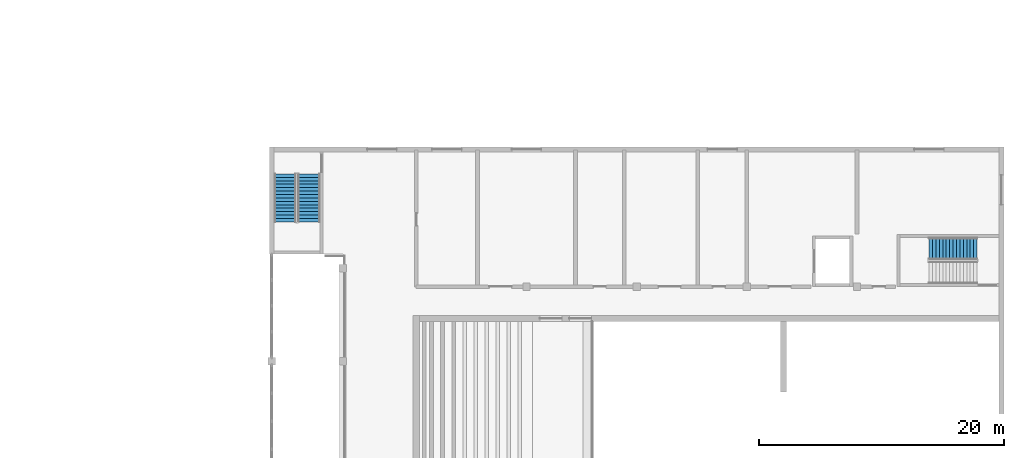
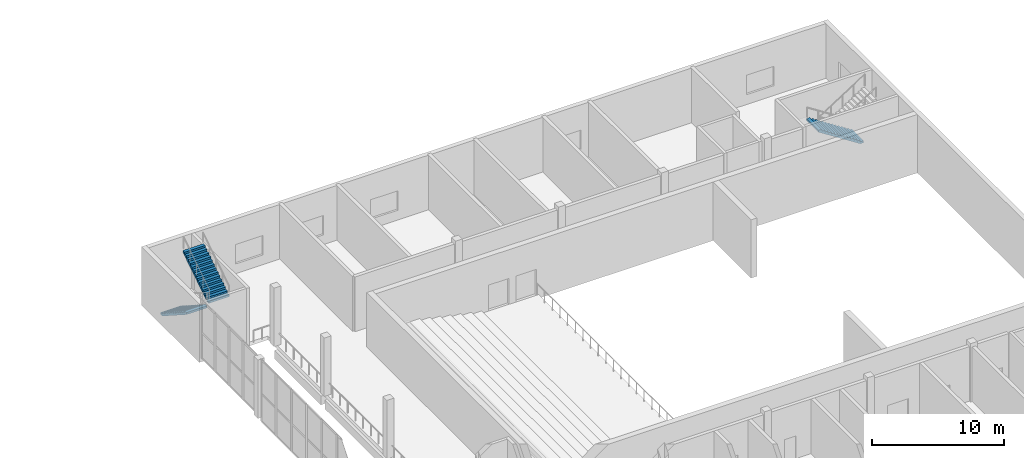
# One storey, part 30 of 44: 3 stair flights, 2 elements without a shape of their own.
"""IFC4 building model written with IfcOpenShell, lengths in metres."""

from ifc_helpers import new_model, si_unit, direction, frame, origin, place, context, subcontext, project, spatial, polyline, outline, extrude, material, type_object, element, aggregate, save


model = new_model("IFC4")

# Units and contexts
model_context = context("Model", 3, precision=1e-05, world=origin(), true_north=direction((0.0, 1.0)))
body_context = subcontext(model_context, "Body", "Model", "MODEL_VIEW")
ifc_project = project(units=[si_unit("LENGTHUNIT", "METRE"), si_unit("AREAUNIT", "SQUARE_METRE"), si_unit("VOLUMEUNIT", "CUBIC_METRE"), si_unit("PLANEANGLEUNIT", "RADIAN"), si_unit("MASSUNIT", "GRAM", prefix="KILO")], contexts=[model_context])

# Site, building, storey
site_placement = place(None, origin())
site = spatial("IfcSite", under=ifc_project, at=site_placement, CompositionType="ELEMENT")
building_placement = place(site_placement, origin())
building = spatial("IfcBuilding", under=site, at=building_placement, Name="Hunhe Ridgeline Campus", CompositionType="ELEMENT")
storey_placement = place(building_placement, frame((0.0, 0.0, 6.0)))
storey = spatial("IfcBuildingStorey", under=building, at=storey_placement, Name="L01", CompositionType="ELEMENT", Elevation=6.0)

# Stair, stair flights
ifc_material = material(Name="Concrete C40", Category="concrete")
stair_type = type_object("IfcStairType", Name="Hall exit stair 1800", PredefinedType="HALF_TURN_STAIR", material=ifc_material)
stair_1_placement = place(storey_placement, origin())
stair_1 = element("IfcStair", 1, at=stair_1_placement, inside=storey, type_object=stair_type, Name="L01 hall stair HS2", PredefinedType="HALF_TURN_STAIR")
stair_flight_type = type_object("IfcStairFlightType", Name="Hall stair flight 1800", PredefinedType="STRAIGHT", material=ifc_material)
stair_flight_1_placement = place(storey_placement, frame((151.300048828125, 74.300048828125, 0.0), z_axis=(0.0, 0.0, 1.0), x_axis=(0.0, -1.0, 0.0)))
stair_flight_1 = element("IfcStairFlight", 2, at=stair_flight_1_placement, type_object=stair_flight_type, Name="HS2 flight 1", NumberOfRisers=15, NumberOfTreads=14, PredefinedType="STRAIGHT", RiserHeight=0.18, TreadLength=0.28, context=body_context, shape_type="SweptSolid", body=[
    extrude(outline(polyline([(0.0, 0.0), (0.0, 0.179931640625), (0.280029296875, 0.179931640625), (0.280029296875, 0.360107421875), (0.56005859375, 0.360107421875), (0.56005859375, 0.5400390625), (0.840087890625, 0.5400390625), (0.840087890625, 0.719970703125), (1.1201171875, 0.719970703125), (1.1201171875, 0.89990234375), (1.39990234375, 0.89990234375), (1.39990234375, 1.080078125), (1.679931640625, 1.080078125), (1.679931640625, 1.260009765625), (1.9599609375, 1.260009765625), (1.9599609375, 1.43994140625), (2.239990234375, 1.43994140625), (2.239990234375, 1.6201171875), (2.52001953125, 1.6201171875), (2.52001953125, 1.800048828125), (2.800048828125, 1.800048828125), (2.800048828125, 1.97998046875), (3.080078125, 1.97998046875), (3.080078125, 2.159912109375), (3.360107421875, 2.159912109375), (3.360107421875, 2.340087890625), (3.639892578125, 2.340087890625), (3.639892578125, 2.52001953125), (3.919921875, 2.52001953125), (3.919921875, 2.699951171875), (3.919921875, 2.341796875), (0.277099609375, 0.0), (0.0, 0.0)])), frame((0.0, 0.89990234375, 0.0), z_axis=(0.0, -1.0, 0.0), x_axis=(1.0, 0.0, 0.0)), (0.0, 0.0, 1.0), 1.800048828125),
])
stair_flight_2_placement = place(storey_placement, frame((153.25, 70.3798828125, 2.699951171875), z_axis=(0.0, 0.0, 1.0), x_axis=(0.0, 1.0, 0.0)))
stair_flight_2 = element("IfcStairFlight", 3, at=stair_flight_2_placement, type_object=stair_flight_type, Name="HS2 flight 2", NumberOfRisers=15, NumberOfTreads=14, PredefinedType="STRAIGHT", RiserHeight=0.18, TreadLength=0.28, context=body_context, shape_type="SweptSolid", body=[
    extrude(outline(polyline([(0.0, 0.0), (0.0, 0.179931640625), (0.280029296875, 0.179931640625), (0.280029296875, 0.360107421875), (0.56005859375, 0.360107421875), (0.56005859375, 0.5400390625), (0.840087890625, 0.5400390625), (0.840087890625, 0.719970703125), (1.1201171875, 0.719970703125), (1.1201171875, 0.89990234375), (1.39990234375, 0.89990234375), (1.39990234375, 1.080078125), (1.679931640625, 1.080078125), (1.679931640625, 1.260009765625), (1.9599609375, 1.260009765625), (1.9599609375, 1.43994140625), (2.239990234375, 1.43994140625), (2.239990234375, 1.6201171875), (2.52001953125, 1.6201171875), (2.52001953125, 1.800048828125), (2.800048828125, 1.800048828125), (2.800048828125, 1.97998046875), (3.080078125, 1.97998046875), (3.080078125, 2.159912109375), (3.360107421875, 2.159912109375), (3.360107421875, 2.340087890625), (3.639892578125, 2.340087890625), (3.639892578125, 2.52001953125), (3.919921875, 2.52001953125), (3.919921875, 2.699951171875), (3.919921875, 2.341796875), (0.277099609375, 0.0), (0.0, 0.0)])), frame((0.0, 0.89990234375, 0.0), z_axis=(0.0, -1.0, 0.0), x_axis=(1.0, 0.0, 0.0)), (0.0, 0.0, 1.0), 1.800048828125),
])
aggregate(stair_1, [stair_flight_1, stair_flight_2])

# Stair, stair flight
stair_2_placement = place(storey_placement, origin())
stair_2 = element("IfcStair", 4, at=stair_2_placement, inside=storey, type_object=stair_type, Name="L01 hall stair HS4", PredefinedType="HALF_TURN_STAIR")
stair_flight_3_placement = place(storey_placement, frame((207.800048828125, 68.199951171875, 0.0), z_axis=(0.0, 0.0, 1.0), x_axis=(-1.0, 0.0, 0.0)))
stair_flight_3 = element("IfcStairFlight", 5, at=stair_flight_3_placement, type_object=stair_flight_type, Name="HS4 flight 1", NumberOfRisers=15, NumberOfTreads=14, PredefinedType="STRAIGHT", RiserHeight=0.18, TreadLength=0.28, context=body_context, shape_type="SweptSolid", body=[
    extrude(outline(polyline([(0.0, 0.0), (0.0, 0.179931640625), (0.280029296875, 0.179931640625), (0.280029296875, 0.360107421875), (0.56005859375, 0.360107421875), (0.56005859375, 0.5400390625), (0.840087890625, 0.5400390625), (0.840087890625, 0.719970703125), (1.1201171875, 0.719970703125), (1.1201171875, 0.89990234375), (1.39990234375, 0.89990234375), (1.39990234375, 1.080078125), (1.679931640625, 1.080078125), (1.679931640625, 1.260009765625), (1.9599609375, 1.260009765625), (1.9599609375, 1.43994140625), (2.239990234375, 1.43994140625), (2.239990234375, 1.6201171875), (2.52001953125, 1.6201171875), (2.52001953125, 1.800048828125), (2.800048828125, 1.800048828125), (2.800048828125, 1.97998046875), (3.080078125, 1.97998046875), (3.080078125, 2.159912109375), (3.360107421875, 2.159912109375), (3.360107421875, 2.340087890625), (3.639892578125, 2.340087890625), (3.639892578125, 2.52001953125), (3.919921875, 2.52001953125), (3.919921875, 2.699951171875), (3.919921875, 2.341796875), (0.277099609375, 0.0), (0.0, 0.0)])), frame((0.0, 0.89990234375, 0.0), z_axis=(0.0, -1.0, 0.0), x_axis=(1.0, 0.0, 0.0)), (0.0, 0.0, 1.0), 1.800048828125),
])
aggregate(stair_2, [stair_flight_3])

save(model, "model.ifc")
